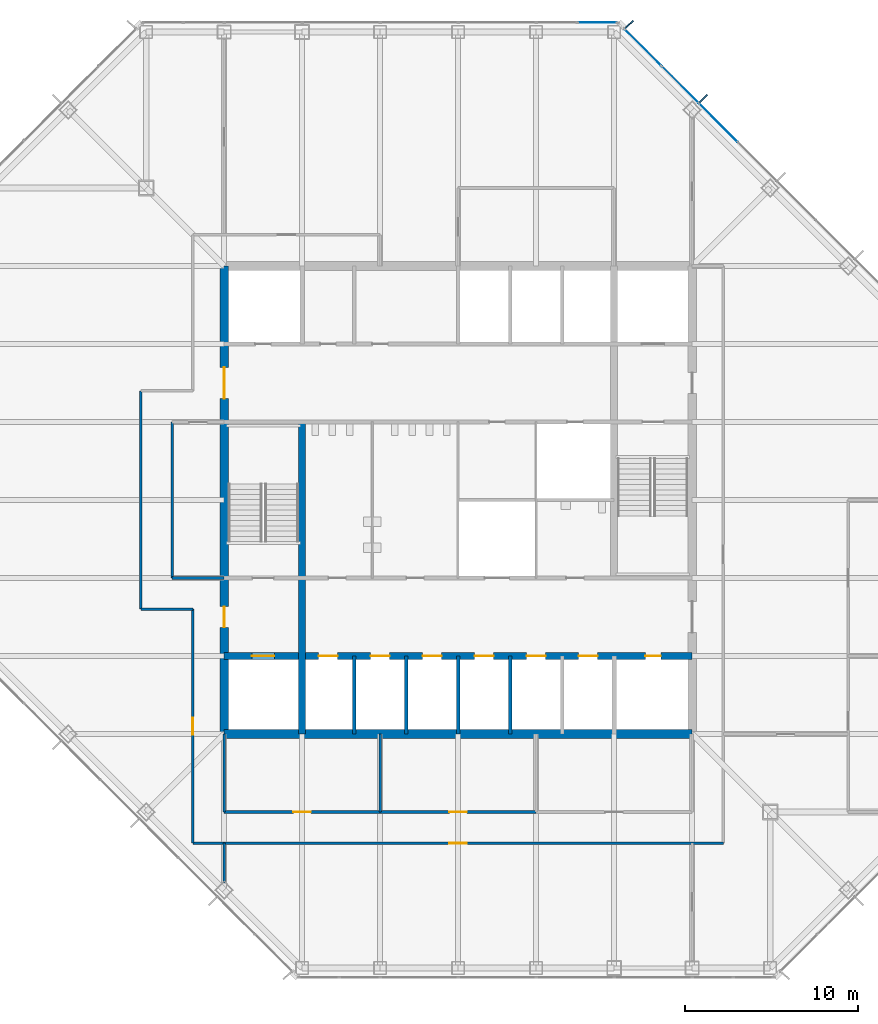
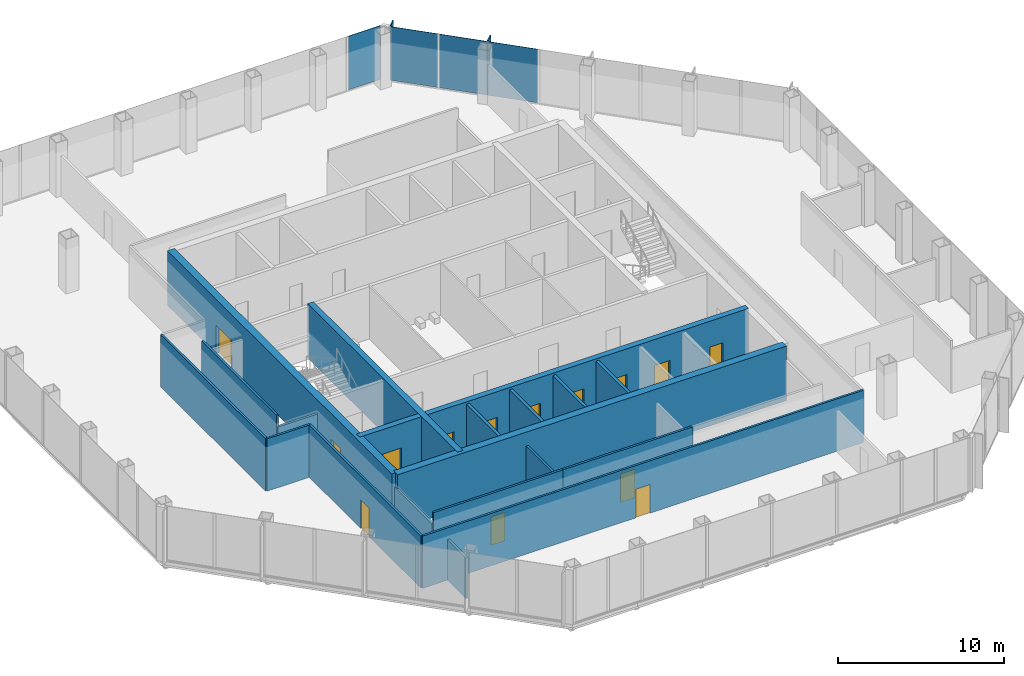
# One storey, part 8 of 12: 19 walls, 14 doors, 6 plates, 14 openings, 2 elements without a shape of their own.
"""IFC4 building model written with IfcOpenShell, lengths in metres."""

from ifc_helpers import new_model, si_unit, direction, frame, frame_2d, origin, origin_2d, place, context, subcontext, project, spatial, rectangle, extrude, material, layer, layer_set, type_object, element, fill, aggregate, save


model = new_model("IFC4")

# Units and contexts
model_context = context("Model", 3, precision=1e-05, world=origin(), true_north=direction((0.0, 1.0)))
body_context = subcontext(model_context, "Body", "Model", "MODEL_VIEW")
ifc_project = project(units=[si_unit("LENGTHUNIT", "METRE"), si_unit("AREAUNIT", "SQUARE_METRE"), si_unit("VOLUMEUNIT", "CUBIC_METRE"), si_unit("PLANEANGLEUNIT", "RADIAN"), si_unit("MASSUNIT", "GRAM", prefix="KILO")], contexts=[model_context])

# Site, building, storey
site_placement = place(None, origin())
site = spatial("IfcSite", under=ifc_project, at=site_placement, CompositionType="ELEMENT")
building_placement = place(site_placement, origin())
building = spatial("IfcBuilding", under=site, at=building_placement, Name="Corais Broadcast Tower", CompositionType="ELEMENT")
storey_placement = place(building_placement, frame((0.0, 0.0, 135.60009765625)))
storey = spatial("IfcBuildingStorey", under=building, at=storey_placement, Name="L30", CompositionType="ELEMENT", Elevation=135.60009765625)

# Curtain wall, plates
ifc_material_1 = material(Name="Aluminium and glass", Category="aluminium")
curtain_wall_type = type_object("IfcCurtainWallType", Name="Unitised fritted curtain wall CW2", PredefinedType="NOTDEFINED", material=ifc_material_1)
curtain_wall_1_placement = place(storey_placement, origin())
curtain_wall_1 = element("IfcCurtainWall", 1, at=curtain_wall_1_placement, inside=storey, type_object=curtain_wall_type, Name="CW2 curtain wall L30 5", PredefinedType="NOTDEFINED")
ifc_material_2 = material(Name="Ceramic-fritted laminated glass", Category="glass")
ifc_layer_1 = layer(ifc_material_2, 0.028076171875)
ifc_layer_set_1 = layer_set([ifc_layer_1], Name="Ceramic-fritted laminated glass")
plate_type_1 = type_object("IfcPlateType", Name="Fritted glass panel CW2", PredefinedType="CURTAIN_PANEL", material=ifc_layer_set_1)
plate_1_placement = place(storey_placement, frame((37.669677734375, 53.108154296875, 0.06494140625), z_axis=(0.0, 0.0, 1.0), x_axis=(0.707106781187, -0.707106781187, 0.0)))
plate_1 = element("IfcPlate", 2, at=plate_1_placement, type_object=plate_type_1, Name="CW2 panel 1", PredefinedType="CURTAIN_PANEL", context=body_context, shape_type="SweptSolid", body=[
    extrude(rectangle(XDim=2.9482421875, YDim=0.028076171875, at=origin_2d()), origin(), (0.0, 0.0, 1.0), 3.93505859375),
])
plate_2_placement = place(storey_placement, frame((42.013916015625, 48.763916015625, 0.06494140625), z_axis=(0.0, 0.0, 1.0), x_axis=(0.707106781187, -0.707106781187, 0.0)))
plate_2 = element("IfcPlate", 3, at=plate_2_placement, type_object=plate_type_1, Name="CW2 panel 3", PredefinedType="CURTAIN_PANEL", context=body_context, shape_type="SweptSolid", body=[
    extrude(rectangle(XDim=3.116943359375, YDim=0.028076171875, at=origin_2d()), origin(), (0.0, 0.0, 1.0), 3.93505859375),
])

# Curtain wall, plate
curtain_wall_2_placement = place(storey_placement, origin())
curtain_wall_2 = element("IfcCurtainWall", 4, at=curtain_wall_2_placement, inside=storey, type_object=curtain_wall_type, Name="CW2 curtain wall L30 4", PredefinedType="NOTDEFINED")
ifc_material_3 = material(Name="Clear laminated glass", Category="glass")
ifc_layer_2 = layer(ifc_material_3, 0.031982421875)
ifc_layer_set_2 = layer_set([ifc_layer_2], Name="Clear laminated glass")
plate_type_2 = type_object("IfcPlateType", Name="Operable glass panel CW2", PredefinedType="CURTAIN_PANEL", material=ifc_layer_set_2)
plate_3_placement = place(storey_placement, frame((35.029541015625, 54.550048828125, 0.06494140625), z_axis=(0.0, 0.0, 1.0), x_axis=(1.0, 0.0, 0.0)))
plate_3 = element("IfcPlate", 5, at=plate_3_placement, type_object=plate_type_2, Name="CW2 operable panel 8", PredefinedType="CURTAIN_PANEL", context=body_context, shape_type="SweptSolid", body=[
    extrude(rectangle(XDim=2.266357421875, YDim=0.031982421875, at=origin_2d()), origin(), (0.0, 0.0, 1.0), 3.93505859375),
])
aggregate(curtain_wall_2, [plate_3])

# Plate
plate_4_placement = place(storey_placement, frame((39.81201171875, 50.9658203125, 0.06494140625), z_axis=(0.0, 0.0, 1.0), x_axis=(0.707106781187, -0.707106781187, 0.0)))
plate_4 = element("IfcPlate", 6, at=plate_4_placement, type_object=plate_type_2, Name="CW2 operable panel 2", PredefinedType="CURTAIN_PANEL", context=body_context, shape_type="SweptSolid", body=[
    extrude(rectangle(XDim=2.98095703125, YDim=0.031982421875, at=origin_2d()), origin(), (0.0, 0.0, 1.0), 3.93505859375),
])

aggregate(curtain_wall_1, [plate_1, plate_4, plate_2])

# Plates
ifc_material_4 = material(Name="Granite stone cladding", Category="masonry")
ifc_layer_3 = layer(ifc_material_4, 0.080078125)
ifc_layer_set_3 = layer_set([ifc_layer_3], Name="Granite stone cladding")
plate_type_3 = type_object("IfcPlateType", Name="Stone screen fin 80x600", PredefinedType="USERDEFINED", material=ifc_layer_set_3)
for number, where, z_axis, x_axis, name in (
    (7, (36.8779296875, 54.447021484375, 0.0), (0.0, 0.0, 1.0), (0.707106781187, -0.707106781187, 0.0), "SF1 stone screen fin L30"),
    (8, (41.16259765625, 50.16259765625, 0.0), (0.0, 0.0, 1.0), (0.707106781187, -0.707106781187, 0.0), "SF1 stone screen fin L30"),
):
    element("IfcPlate", number, at=place(storey_placement, frame(where, z_axis=z_axis, x_axis=x_axis)), inside=storey, type_object=plate_type_3, Name=name, ObjectType="STONE SCREEN FIN", PredefinedType="USERDEFINED", context=body_context, shape_type="SweptSolid", body=[
        extrude(rectangle(XDim=0.080078125, YDim=0.60009765625, at=origin_2d()), origin(), (0.0, 0.0, 1.0), 4.0),
    ])

# Wall
ifc_material_5 = material(Name="Concrete C50/60", Category="concrete")
ifc_layer_4 = layer(ifc_material_5, 0.39990234375)
ifc_layer_set_4 = layer_set([ifc_layer_4], Name="Concrete C50/60")
wall_type_1 = type_object("IfcWallType", Name="Core wall 400", PredefinedType="SHEAR", material=ifc_layer_set_4)
wall_1_placement = place(storey_placement, frame((18.0, 13.5, 0.0), z_axis=(0.0, 0.0, 1.0), x_axis=(0.0, 1.0, 0.0)))
element("IfcWall", 9, at=wall_1_placement, inside=storey, type_object=wall_type_1, Name="CR400 core wall X18A L30", PredefinedType="SHEAR", context=body_context, shape_type="SweptSolid", body=[
    extrude(rectangle(XDim=18.0, YDim=0.39990234375, at=frame_2d((9.0, 0.0))), origin(), (0.0, 0.0, 1.0), 4.0),
])

# Wall, openings, doors
wall_2_placement = place(storey_placement, frame((13.5, 18.0, 0.0), z_axis=(0.0, 0.0, 1.0), x_axis=(1.0, 0.0, 0.0)))
wall_2 = element("IfcWall", 10, at=wall_2_placement, inside=storey, type_object=wall_type_1, Name="CR400 core wall Y18 L30", PredefinedType="SHEAR", context=body_context, shape_type="SweptSolid", body=[
    extrude(rectangle(XDim=27.0, YDim=0.39990234375, at=frame_2d((13.5, 0.0))), origin(), (0.0, 0.0, 1.0), 4.0),
])
opening_1_placement = place(wall_2_placement, frame((24.300048828125, 0.0, 0.0)))
opening_1 = element("IfcOpeningElement", 11, at=opening_1_placement, cuts=wall_2, Name="Opening RD1", PredefinedType="OPENING", context=body_context, shape_type="SweptSolid", body=[
    extrude(rectangle(XDim=0.89990234375, YDim=2.10009765625, at=frame_2d((0.449951171875, 1.050048828125))), frame((0.0, 0.2099609375, 0.0), z_axis=(0.0, -1.0, 0.0), x_axis=(1.0, 0.0, 0.0)), (0.0, 0.0, 1.0), 0.419921875),
])
opening_2_placement = place(wall_2_placement, frame((5.449951171875, 0.0, 0.0)))
opening_2 = element("IfcOpeningElement", 12, at=opening_2_placement, cuts=wall_2, Name="Opening LD1", PredefinedType="OPENING", context=body_context, shape_type="SweptSolid", body=[
    extrude(rectangle(XDim=1.10009765625, YDim=2.10009765625, at=frame_2d((0.550048828125, 1.050048828125))), frame((0.0, 0.2099609375, 0.0), z_axis=(0.0, -1.0, 0.0), x_axis=(1.0, 0.0, 0.0)), (0.0, 0.0, 1.0), 0.419921875),
])
opening_3_placement = place(wall_2_placement, frame((8.449951171875, 0.0, 0.0)))
opening_3 = element("IfcOpeningElement", 13, at=opening_3_placement, cuts=wall_2, Name="Opening LD1", PredefinedType="OPENING", context=body_context, shape_type="SweptSolid", body=[
    extrude(rectangle(XDim=1.10009765625, YDim=2.10009765625, at=frame_2d((0.550048828125, 1.050048828125))), frame((0.0, 0.2099609375, 0.0), z_axis=(0.0, -1.0, 0.0), x_axis=(1.0, 0.0, 0.0)), (0.0, 0.0, 1.0), 0.419921875),
])
opening_4_placement = place(wall_2_placement, frame((11.449951171875, 0.0, 0.0)))
opening_4 = element("IfcOpeningElement", 14, at=opening_4_placement, cuts=wall_2, Name="Opening LD1", PredefinedType="OPENING", context=body_context, shape_type="SweptSolid", body=[
    extrude(rectangle(XDim=1.10009765625, YDim=2.10009765625, at=frame_2d((0.550048828125, 1.050048828125))), frame((0.0, 0.2099609375, 0.0), z_axis=(0.0, -1.0, 0.0), x_axis=(1.0, 0.0, 0.0)), (0.0, 0.0, 1.0), 0.419921875),
])
opening_5_placement = place(wall_2_placement, frame((14.449951171875, 0.0, 0.0)))
opening_5 = element("IfcOpeningElement", 15, at=opening_5_placement, cuts=wall_2, Name="Opening LD1", PredefinedType="OPENING", context=body_context, shape_type="SweptSolid", body=[
    extrude(rectangle(XDim=1.10009765625, YDim=2.10009765625, at=frame_2d((0.550048828125, 1.050048828125))), frame((0.0, 0.2099609375, 0.0), z_axis=(0.0, -1.0, 0.0), x_axis=(1.0, 0.0, 0.0)), (0.0, 0.0, 1.0), 0.419921875),
])
opening_6_placement = place(wall_2_placement, frame((17.449951171875, 0.0, 0.0)))
opening_6 = element("IfcOpeningElement", 16, at=opening_6_placement, cuts=wall_2, Name="Opening LD1", PredefinedType="OPENING", context=body_context, shape_type="SweptSolid", body=[
    extrude(rectangle(XDim=1.10009765625, YDim=2.10009765625, at=frame_2d((0.550048828125, 1.050048828125))), frame((0.0, 0.2099609375, 0.0), z_axis=(0.0, -1.0, 0.0), x_axis=(1.0, 0.0, 0.0)), (0.0, 0.0, 1.0), 0.419921875),
])
opening_7_placement = place(wall_2_placement, frame((20.449951171875, 0.0, 0.0)))
opening_7 = element("IfcOpeningElement", 17, at=opening_7_placement, cuts=wall_2, Name="Opening LD1", PredefinedType="OPENING", context=body_context, shape_type="SweptSolid", body=[
    extrude(rectangle(XDim=1.10009765625, YDim=2.10009765625, at=frame_2d((0.550048828125, 1.050048828125))), frame((0.0, 0.2099609375, 0.0), z_axis=(0.0, -1.0, 0.0), x_axis=(1.0, 0.0, 0.0)), (0.0, 0.0, 1.0), 0.419921875),
])
opening_8_placement = place(wall_2_placement, frame((1.60009765625, 0.0, 0.0)))
opening_8 = element("IfcOpeningElement", 18, at=opening_8_placement, cuts=wall_2, Name="Opening LD2", PredefinedType="OPENING", context=body_context, shape_type="SweptSolid", body=[
    extrude(rectangle(XDim=1.300048828125, YDim=2.199951171875, at=frame_2d((0.64990234375, 1.10009765625))), frame((0.0, 0.2099609375, 0.0), z_axis=(0.0, -1.0, 0.0), x_axis=(1.0, 0.0, 0.0)), (0.0, 0.0, 1.0), 0.419921875),
])
ifc_material_6 = material(Name="Stainless steel lift door", Category="steel")
door_type_1 = type_object("IfcDoorType", Name="Lift landing door 1100x2100", OperationType="SLIDING_TO_LEFT", PredefinedType="DOOR", material=ifc_material_6)
door_1_placement = place(opening_2_placement, origin())
door_1 = element("IfcDoor", 19, at=door_1_placement, inside=storey, type_object=door_type_1, Name="LD1 PM1 landing door L30", OperationType="SLIDING_TO_LEFT", OverallHeight=2.10009765625, OverallWidth=1.10009765625, PredefinedType="DOOR", context=body_context, shape_type="SweptSolid", body=[
    extrude(rectangle(XDim=1.10009765625, YDim=2.10009765625, at=frame_2d((0.550048828125, 1.050048828125))), frame((0.0, 0.02490234375, 0.0), z_axis=(0.0, -1.0, 0.0), x_axis=(1.0, 0.0, 0.0)), (0.0, 0.0, 1.0), 0.050048828125),
])
fill(opening_2, door_1)
door_2_placement = place(opening_3_placement, origin())
door_2 = element("IfcDoor", 20, at=door_2_placement, inside=storey, type_object=door_type_1, Name="LD1 PM2 landing door L30", OperationType="SLIDING_TO_LEFT", OverallHeight=2.10009765625, OverallWidth=1.10009765625, PredefinedType="DOOR", context=body_context, shape_type="SweptSolid", body=[
    extrude(rectangle(XDim=1.10009765625, YDim=2.10009765625, at=frame_2d((0.550048828125, 1.050048828125))), frame((0.0, 0.02490234375, 0.0), z_axis=(0.0, -1.0, 0.0), x_axis=(1.0, 0.0, 0.0)), (0.0, 0.0, 1.0), 0.050048828125),
])
fill(opening_3, door_2)
door_3_placement = place(opening_4_placement, origin())
door_3 = element("IfcDoor", 21, at=door_3_placement, inside=storey, type_object=door_type_1, Name="LD1 PM3 landing door L30", OperationType="SLIDING_TO_LEFT", OverallHeight=2.10009765625, OverallWidth=1.10009765625, PredefinedType="DOOR", context=body_context, shape_type="SweptSolid", body=[
    extrude(rectangle(XDim=1.10009765625, YDim=2.10009765625, at=frame_2d((0.550048828125, 1.050048828125))), frame((0.0, 0.02490234375, 0.0), z_axis=(0.0, -1.0, 0.0), x_axis=(1.0, 0.0, 0.0)), (0.0, 0.0, 1.0), 0.050048828125),
])
fill(opening_4, door_3)
door_4_placement = place(opening_5_placement, origin())
door_4 = element("IfcDoor", 22, at=door_4_placement, inside=storey, type_object=door_type_1, Name="LD1 PM4 landing door L30", OperationType="SLIDING_TO_LEFT", OverallHeight=2.10009765625, OverallWidth=1.10009765625, PredefinedType="DOOR", context=body_context, shape_type="SweptSolid", body=[
    extrude(rectangle(XDim=1.10009765625, YDim=2.10009765625, at=frame_2d((0.550048828125, 1.050048828125))), frame((0.0, 0.02490234375, 0.0), z_axis=(0.0, -1.0, 0.0), x_axis=(1.0, 0.0, 0.0)), (0.0, 0.0, 1.0), 0.050048828125),
])
fill(opening_5, door_4)
door_5_placement = place(opening_6_placement, origin())
door_5 = element("IfcDoor", 23, at=door_5_placement, inside=storey, type_object=door_type_1, Name="LD1 PM5 landing door L30", OperationType="SLIDING_TO_LEFT", OverallHeight=2.10009765625, OverallWidth=1.10009765625, PredefinedType="DOOR", context=body_context, shape_type="SweptSolid", body=[
    extrude(rectangle(XDim=1.10009765625, YDim=2.10009765625, at=frame_2d((0.550048828125, 1.050048828125))), frame((0.0, 0.02490234375, 0.0), z_axis=(0.0, -1.0, 0.0), x_axis=(1.0, 0.0, 0.0)), (0.0, 0.0, 1.0), 0.050048828125),
])
fill(opening_6, door_5)
door_6_placement = place(opening_7_placement, origin())
door_6 = element("IfcDoor", 24, at=door_6_placement, inside=storey, type_object=door_type_1, Name="LD1 PM6 landing door L30", OperationType="SLIDING_TO_LEFT", OverallHeight=2.10009765625, OverallWidth=1.10009765625, PredefinedType="DOOR", context=body_context, shape_type="SweptSolid", body=[
    extrude(rectangle(XDim=1.10009765625, YDim=2.10009765625, at=frame_2d((0.550048828125, 1.050048828125))), frame((0.0, 0.02490234375, 0.0), z_axis=(0.0, -1.0, 0.0), x_axis=(1.0, 0.0, 0.0)), (0.0, 0.0, 1.0), 0.050048828125),
])
fill(opening_7, door_6)
ifc_material_7 = material(Name="Stainless steel lift door", Category="steel")
door_type_2 = type_object("IfcDoorType", Name="Lift landing door 1300x2200", OperationType="SLIDING_TO_LEFT", PredefinedType="DOOR", material=ifc_material_7)
door_7_placement = place(opening_8_placement, origin())
door_7 = element("IfcDoor", 25, at=door_7_placement, inside=storey, type_object=door_type_2, Name="LD2 FL1 landing door L30", OperationType="SLIDING_TO_LEFT", OverallHeight=2.199951171875, OverallWidth=1.300048828125, PredefinedType="DOOR", context=body_context, shape_type="SweptSolid", body=[
    extrude(rectangle(XDim=1.300048828125, YDim=2.199951171875, at=frame_2d((0.64990234375, 1.10009765625))), frame((0.0, 0.02490234375, 0.0), z_axis=(0.0, -1.0, 0.0), x_axis=(1.0, 0.0, 0.0)), (0.0, 0.0, 1.0), 0.050048828125),
])
fill(opening_8, door_7)
ifc_material_8 = material(Name="Steel fire door", Category="steel")
door_type_3 = type_object("IfcDoorType", Name="Riser door 900x2100", OperationType="SINGLE_SWING_LEFT", PredefinedType="DOOR", material=ifc_material_8)
door_8_placement = place(opening_1_placement, origin())
door_8 = element("IfcDoor", 26, at=door_8_placement, inside=storey, type_object=door_type_3, Name="RD1 riser door L30", OperationType="SINGLE_SWING_RIGHT", OverallHeight=2.10009765625, OverallWidth=0.89990234375, PredefinedType="DOOR", context=body_context, shape_type="SweptSolid", body=[
    extrude(rectangle(XDim=0.89990234375, YDim=2.10009765625, at=frame_2d((0.449951171875, 1.050048828125))), frame((0.0, 0.02490234375, 0.0), z_axis=(0.0, -1.0, 0.0), x_axis=(1.0, 0.0, 0.0)), (0.0, 0.0, 1.0), 0.050048828125),
])
fill(opening_1, door_8)

# Wall
ifc_material_9 = material(Name="Concrete C50/60", Category="concrete")
ifc_layer_5 = layer(ifc_material_9, 0.5)
ifc_layer_set_5 = layer_set([ifc_layer_5], Name="Concrete C50/60")
wall_type_2 = type_object("IfcWallType", Name="Core wall 500", PredefinedType="SHEAR", material=ifc_layer_set_5)
wall_3_placement = place(storey_placement, frame((13.5, 13.5, 0.0), z_axis=(0.0, 0.0, 1.0), x_axis=(1.0, 0.0, 0.0)))
element("IfcWall", 27, at=wall_3_placement, inside=storey, type_object=wall_type_2, Name="CR500 core wall S L30", PredefinedType="SHEAR", context=body_context, shape_type="SweptSolid", body=[
    extrude(rectangle(XDim=27.0, YDim=0.5, at=frame_2d((13.5, 0.0))), origin(), (0.0, 0.0, 1.0), 4.0),
])

# Wall, openings, doors
wall_4_placement = place(storey_placement, frame((13.5, 40.5, 0.0), z_axis=(0.0, 0.0, 1.0), x_axis=(0.0, -1.0, 0.0)))
wall_4 = element("IfcWall", 28, at=wall_4_placement, inside=storey, type_object=wall_type_2, Name="CR500 core wall W L30", PredefinedType="SHEAR", context=body_context, shape_type="SweptSolid", body=[
    extrude(rectangle(XDim=27.0, YDim=0.5, at=frame_2d((13.5, 0.0))), origin(), (0.0, 0.0, 1.0), 4.0),
])
opening_9_placement = place(wall_4_placement, frame((19.64990234375, 0.0, 0.0)))
opening_9 = element("IfcOpeningElement", 29, at=opening_9_placement, cuts=wall_4, Name="Opening FD1", PredefinedType="OPENING", context=body_context, shape_type="SweptSolid", body=[
    extrude(rectangle(XDim=1.199951171875, YDim=2.10009765625, at=frame_2d((0.60009765625, 1.050048828125))), frame((0.0, 0.260009765625, 0.0), z_axis=(0.0, -1.0, 0.0), x_axis=(1.0, 0.0, 0.0)), (0.0, 0.0, 1.0), 0.52001953125),
])
opening_10_placement = place(wall_4_placement, frame((5.85009765625, 0.0, 0.0)))
opening_10 = element("IfcOpeningElement", 30, at=opening_10_placement, cuts=wall_4, Name="Opening FD2", PredefinedType="OPENING", context=body_context, shape_type="SweptSolid", body=[
    extrude(rectangle(XDim=1.800048828125, YDim=2.10009765625, at=frame_2d((0.89990234375, 1.050048828125))), frame((0.0, 0.260009765625, 0.0), z_axis=(0.0, -1.0, 0.0), x_axis=(1.0, 0.0, 0.0)), (0.0, 0.0, 1.0), 0.52001953125),
])
ifc_material_10 = material(Name="Steel fire door", Category="steel")
door_type_4 = type_object("IfcDoorType", Name="Fire door 1200x2100", OperationType="SINGLE_SWING_LEFT", PredefinedType="DOOR", material=ifc_material_10)
door_9_placement = place(opening_9_placement, origin())
door_9 = element("IfcDoor", 31, at=door_9_placement, inside=storey, type_object=door_type_4, Name="FD1 fire lobby A door L30", OperationType="SINGLE_SWING_RIGHT", OverallHeight=2.10009765625, OverallWidth=1.199951171875, PredefinedType="DOOR", context=body_context, shape_type="SweptSolid", body=[
    extrude(rectangle(XDim=1.199951171875, YDim=2.10009765625, at=frame_2d((0.60009765625, 1.050048828125))), frame((0.0, 0.02490234375, 0.0), z_axis=(0.0, -1.0, 0.0), x_axis=(1.0, 0.0, 0.0)), (0.0, 0.0, 1.0), 0.050048828125),
])
fill(opening_9, door_9)
ifc_material_11 = material(Name="Steel fire door", Category="steel")
door_type_5 = type_object("IfcDoorType", Name="Fire door pair 1800x2100", OperationType="DOUBLE_DOOR_SINGLE_SWING", PredefinedType="DOOR", material=ifc_material_11)
door_10_placement = place(opening_10_placement, origin())
door_10 = element("IfcDoor", 32, at=door_10_placement, inside=storey, type_object=door_type_5, Name="FD2 lift lobby door L30", OperationType="SINGLE_SWING_LEFT", OverallHeight=2.10009765625, OverallWidth=1.800048828125, PredefinedType="DOOR", context=body_context, shape_type="SweptSolid", body=[
    extrude(rectangle(XDim=1.800048828125, YDim=2.10009765625, at=frame_2d((0.89990234375, 1.050048828125))), frame((0.0, 0.02490234375, 0.0), z_axis=(0.0, -1.0, 0.0), x_axis=(1.0, 0.0, 0.0)), (0.0, 0.0, 1.0), 0.050048828125),
])
fill(opening_10, door_10)

# Wall, opening, door
ifc_material_12 = material(Name="Gypsum board on steel studs", Category="steel")
ifc_layer_6 = layer(ifc_material_12, 0.14990234375)
ifc_layer_set_6 = layer_set([ifc_layer_6], Name="Gypsum board on steel studs")
wall_type_3 = type_object("IfcWallType", Name="Partition 150", PredefinedType="PARTITIONING", material=ifc_layer_set_6)
wall_5_placement = place(storey_placement, frame((11.699951171875, 7.199951171875, 0.0), z_axis=(0.0, 0.0, 1.0), x_axis=(1.0, 0.0, 0.0)))
wall_5 = element("IfcWall", 33, at=wall_5_placement, inside=storey, type_object=wall_type_3, Name="IW3 corridor wall L30", PredefinedType="PARTITIONING", context=body_context, shape_type="SweptSolid", body=[
    extrude(rectangle(XDim=30.60009765625, YDim=0.14990234375, at=frame_2d((15.300048828125, 0.0))), origin(), (0.0, 0.0, 1.0), 3.83984375),
])
opening_11_placement = place(wall_5_placement, frame((14.800048828125, 0.0, 0.0)))
opening_11 = element("IfcOpeningElement", 34, at=opening_11_placement, cuts=wall_5, Name="Opening D1", PredefinedType="OPENING", context=body_context, shape_type="SweptSolid", body=[
    extrude(rectangle(XDim=1.0, YDim=2.10009765625, at=frame_2d((0.5, 1.050048828125))), frame((0.0, 0.0849609375, 0.0), z_axis=(0.0, -1.0, 0.0), x_axis=(1.0, 0.0, 0.0)), (0.0, 0.0, 1.0), 0.169921875),
])
ifc_material_13 = material(Name="Timber door", Category="wood")
door_type_6 = type_object("IfcDoorType", Name="Single door 1000x2100", OperationType="SINGLE_SWING_LEFT", PredefinedType="DOOR", material=ifc_material_13)
door_11_placement = place(opening_11_placement, origin())
door_11 = element("IfcDoor", 35, at=door_11_placement, inside=storey, type_object=door_type_6, Name="D1 workplace door L30", OperationType="SINGLE_SWING_LEFT", OverallHeight=2.10009765625, OverallWidth=1.0, PredefinedType="DOOR", context=body_context, shape_type="SweptSolid", body=[
    extrude(rectangle(XDim=1.0, YDim=2.10009765625, at=frame_2d((0.5, 1.050048828125))), frame((0.0, 0.02490234375, 0.0), z_axis=(0.0, -1.0, 0.0), x_axis=(1.0, 0.0, 0.0)), (0.0, 0.0, 1.0), 0.050048828125),
])
fill(opening_11, door_11)

wall_6_placement = place(storey_placement, frame((11.699951171875, 20.699951171875, 0.0), z_axis=(0.0, 0.0, 1.0), x_axis=(0.0, -1.0, 0.0)))
wall_6 = element("IfcWall", 36, at=wall_6_placement, inside=storey, type_object=wall_type_3, Name="IW3 corridor wall L30", PredefinedType="PARTITIONING", context=body_context, shape_type="SweptSolid", body=[
    extrude(rectangle(XDim=13.5, YDim=0.14990234375, at=frame_2d((6.75, 0.0))), origin(), (0.0, 0.0, 1.0), 3.83984375),
])
opening_12_placement = place(wall_6_placement, frame((6.25, 0.0, 0.0)))
opening_12 = element("IfcOpeningElement", 37, at=opening_12_placement, cuts=wall_6, Name="Opening D1", PredefinedType="OPENING", context=body_context, shape_type="SweptSolid", body=[
    extrude(rectangle(XDim=1.0, YDim=2.10009765625, at=frame_2d((0.5, 1.050048828125))), frame((0.0, 0.0849609375, 0.0), z_axis=(0.0, -1.0, 0.0), x_axis=(1.0, 0.0, 0.0)), (0.0, 0.0, 1.0), 0.169921875),
])
door_12_placement = place(opening_12_placement, origin())
door_12 = element("IfcDoor", 38, at=door_12_placement, inside=storey, type_object=door_type_6, Name="D1 workplace door L30", OperationType="SINGLE_SWING_LEFT", OverallHeight=2.10009765625, OverallWidth=1.0, PredefinedType="DOOR", context=body_context, shape_type="SweptSolid", body=[
    extrude(rectangle(XDim=1.0, YDim=2.10009765625, at=frame_2d((0.5, 1.050048828125))), frame((0.0, 0.02490234375, 0.0), z_axis=(0.0, -1.0, 0.0), x_axis=(1.0, 0.0, 0.0)), (0.0, 0.0, 1.0), 0.050048828125),
])
fill(opening_12, door_12)

# Walls
wall_7_placement = place(storey_placement, frame((8.699951171875, 33.300048828125, 0.0), z_axis=(0.0, 0.0, 1.0), x_axis=(0.0, -1.0, 0.0)))
element("IfcWall", 39, at=wall_7_placement, inside=storey, type_object=wall_type_3, Name="IW3 corridor wall L30", PredefinedType="PARTITIONING", context=body_context, shape_type="SweptSolid", body=[
    extrude(rectangle(XDim=12.60009765625, YDim=0.14990234375, at=frame_2d((6.300048828125, 0.0))), origin(), (0.0, 0.0, 1.0), 3.83984375),
])
wall_8_placement = place(storey_placement, frame((8.699951171875, 20.699951171875, 0.0), z_axis=(0.0, 0.0, 1.0), x_axis=(1.0, 0.0, 0.0)))
element("IfcWall", 40, at=wall_8_placement, inside=storey, type_object=wall_type_3, Name="IW3 corridor wall L30", PredefinedType="PARTITIONING", context=body_context, shape_type="SweptSolid", body=[
    extrude(rectangle(XDim=3.0, YDim=0.14990234375, at=frame_2d((1.5, 0.0))), origin(), (0.0, 0.0, 1.0), 3.83984375),
])

# Wall, opening, door
wall_9_placement = place(storey_placement, frame((13.5, 9.0, 0.0), z_axis=(0.0, 0.0, 1.0), x_axis=(1.0, 0.0, 0.0)))
wall_9 = element("IfcWall", 41, at=wall_9_placement, inside=storey, type_object=wall_type_3, Name="IW3 partition L30", PredefinedType="PARTITIONING", context=body_context, shape_type="SweptSolid", body=[
    extrude(rectangle(XDim=9.0, YDim=0.14990234375, at=frame_2d((4.5, 0.0))), origin(), (0.0, 0.0, 1.0), 3.83984375),
])
opening_13_placement = place(wall_9_placement, frame((4.0, 0.0, 0.0)))
opening_13 = element("IfcOpeningElement", 42, at=opening_13_placement, cuts=wall_9, Name="Opening D1", PredefinedType="OPENING", context=body_context, shape_type="SweptSolid", body=[
    extrude(rectangle(XDim=1.0, YDim=2.10009765625, at=frame_2d((0.5, 1.050048828125))), frame((0.0, 0.0849609375, 0.0), z_axis=(0.0, -1.0, 0.0), x_axis=(1.0, 0.0, 0.0)), (0.0, 0.0, 1.0), 0.169921875),
])
door_13_placement = place(opening_13_placement, origin())
door_13 = element("IfcDoor", 43, at=door_13_placement, inside=storey, type_object=door_type_6, Name="D1 Edit suite door", OperationType="SINGLE_SWING_LEFT", OverallHeight=2.10009765625, OverallWidth=1.0, PredefinedType="DOOR", context=body_context, shape_type="SweptSolid", body=[
    extrude(rectangle(XDim=1.0, YDim=2.10009765625, at=frame_2d((0.5, 1.050048828125))), frame((0.0, 0.02490234375, 0.0), z_axis=(0.0, -1.0, 0.0), x_axis=(1.0, 0.0, 0.0)), (0.0, 0.0, 1.0), 0.050048828125),
])
fill(opening_13, door_13)

# Walls
for number, where, z_axis, x_axis, name in (
    (44, (22.5, 9.0, 0.0), (0.0, 0.0, 1.0), (0.0, 1.0, 0.0), "IW3 partition L30"),
    (45, (13.5, 13.5, 0.0), (0.0, 0.0, 1.0), (0.0, -1.0, 0.0), "IW3 partition L30"),
):
    element("IfcWall", number, at=place(storey_placement, frame(where, z_axis=z_axis, x_axis=x_axis)), inside=storey, type_object=wall_type_3, Name=name, PredefinedType="PARTITIONING", context=body_context, shape_type="SweptSolid", body=[
        extrude(rectangle(XDim=4.5, YDim=0.14990234375, at=frame_2d((2.25, 0.0))), origin(), (0.0, 0.0, 1.0), 2.989013671875),
    ])

# Wall, opening, door
wall_10_placement = place(storey_placement, frame((22.5, 9.0, 0.0), z_axis=(0.0, 0.0, 1.0), x_axis=(1.0, 0.0, 0.0)))
wall_10 = element("IfcWall", 46, at=wall_10_placement, inside=storey, type_object=wall_type_3, Name="IW3 partition L30", PredefinedType="PARTITIONING", context=body_context, shape_type="SweptSolid", body=[
    extrude(rectangle(XDim=9.0, YDim=0.14990234375, at=frame_2d((4.5, 0.0))), origin(), (0.0, 0.0, 1.0), 3.83984375),
])
opening_14_placement = place(wall_10_placement, frame((4.0, 0.0, 0.0)))
opening_14 = element("IfcOpeningElement", 47, at=opening_14_placement, cuts=wall_10, Name="Opening D1", PredefinedType="OPENING", context=body_context, shape_type="SweptSolid", body=[
    extrude(rectangle(XDim=1.0, YDim=2.10009765625, at=frame_2d((0.5, 1.050048828125))), frame((0.0, 0.0849609375, 0.0), z_axis=(0.0, -1.0, 0.0), x_axis=(1.0, 0.0, 0.0)), (0.0, 0.0, 1.0), 0.169921875),
])
door_14_placement = place(opening_14_placement, origin())
door_14 = element("IfcDoor", 48, at=door_14_placement, inside=storey, type_object=door_type_6, Name="D1 Edit suite door", OperationType="SINGLE_SWING_LEFT", OverallHeight=2.10009765625, OverallWidth=1.0, PredefinedType="DOOR", context=body_context, shape_type="SweptSolid", body=[
    extrude(rectangle(XDim=1.0, YDim=2.10009765625, at=frame_2d((0.5, 1.050048828125))), frame((0.0, 0.02490234375, 0.0), z_axis=(0.0, -1.0, 0.0), x_axis=(1.0, 0.0, 0.0)), (0.0, 0.0, 1.0), 0.050048828125),
])
fill(opening_14, door_14)

# Walls
wall_11_placement = place(storey_placement, frame((10.5, 22.5, 0.0), z_axis=(0.0, 0.0, 1.0), x_axis=(1.0, 0.0, 0.0)))
element("IfcWall", 49, at=wall_11_placement, inside=storey, type_object=wall_type_3, Name="IW3 partition L30", PredefinedType="PARTITIONING", context=body_context, shape_type="SweptSolid", body=[
    extrude(rectangle(XDim=3.0, YDim=0.14990234375, at=frame_2d((1.5, 0.0))), origin(), (0.0, 0.0, 1.0), 2.989013671875),
])
wall_12_placement = place(storey_placement, frame((10.5, 31.5, 0.0), z_axis=(0.0, 0.0, 1.0), x_axis=(0.0, -1.0, 0.0)))
element("IfcWall", 50, at=wall_12_placement, inside=storey, type_object=wall_type_3, Name="IW3 partition L30", PredefinedType="PARTITIONING", context=body_context, shape_type="SweptSolid", body=[
    extrude(rectangle(XDim=9.0, YDim=0.14990234375, at=frame_2d((4.5, 0.0))), origin(), (0.0, 0.0, 1.0), 3.83984375),
])
wall_13_placement = place(storey_placement, frame((13.5, 4.89501953125, 0.0), z_axis=(0.0, 0.0, 1.0), x_axis=(0.0, 1.0, 0.0)))
element("IfcWall", 51, at=wall_13_placement, inside=storey, type_object=wall_type_3, Name="IW3 partition L30", PredefinedType="PARTITIONING", context=body_context, shape_type="SweptSolid", body=[
    extrude(rectangle(XDim=2.304931640625, YDim=0.14990234375, at=frame_2d((1.15234375, 0.0))), origin(), (0.0, 0.0, 1.0), 2.989013671875),
])
ifc_material_14 = material(Name="Concrete blockwork class A, grouted, two-hour", Category="masonry")
ifc_layer_7 = layer(ifc_material_14, 0.199951171875)
ifc_layer_set_7 = layer_set([ifc_layer_7], Name="Concrete blockwork class A, grouted, two-hour")
wall_type_4 = type_object("IfcWallType", Name="Shaft wall 200", PredefinedType="PARTITIONING", material=ifc_layer_set_7)
for number, where, z_axis, x_axis, name in (
    (52, (21.0, 13.5, 0.0), (0.0, 0.0, 1.0), (0.0, 1.0, 0.0), "IW1 shaft wall L30"),
    (53, (24.0, 13.5, 0.0), (0.0, 0.0, 1.0), (0.0, 1.0, 0.0), "IW1 shaft wall L30"),
    (54, (27.0, 13.5, 0.0), (0.0, 0.0, 1.0), (0.0, 1.0, 0.0), "IW1 shaft wall L30"),
    (55, (30.0, 13.5, 0.0), (0.0, 0.0, 1.0), (0.0, 1.0, 0.0), "IW1 shaft wall L30"),
):
    element("IfcWall", number, at=place(storey_placement, frame(where, z_axis=z_axis, x_axis=x_axis)), inside=storey, type_object=wall_type_4, Name=name, PredefinedType="PARTITIONING", context=body_context, shape_type="SweptSolid", body=[
        extrude(rectangle(XDim=4.5, YDim=0.199951171875, at=frame_2d((2.25, 0.0))), origin(), (0.0, 0.0, 1.0), 3.83984375),
    ])

save(model, "model.ifc")
